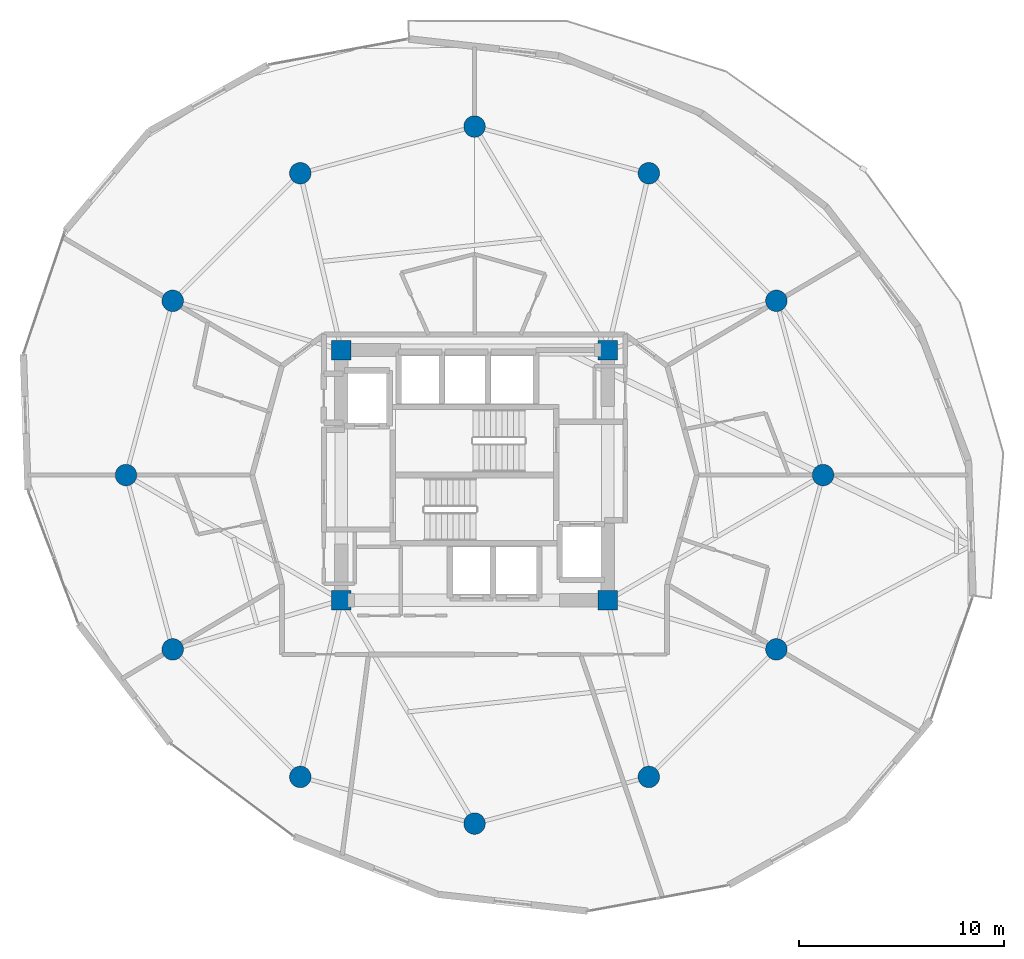
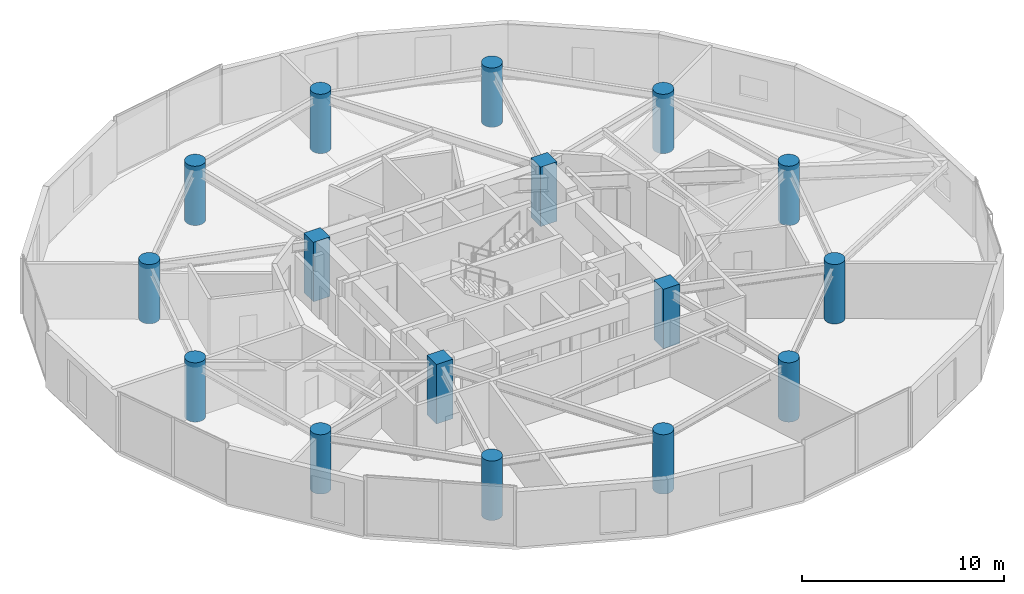
# One storey, part 1 of 23: 16 columns.
"""IFC4 building model written with IfcOpenShell, lengths in metres."""

from ifc_helpers import new_model, si_unit, direction, frame, origin, origin_2d, place, context, subcontext, project, spatial, rectangle, circle, extrude, material, material_profile, profile_set, type_object, element, save


model = new_model("IFC4")

# Units and contexts
model_context = context("Model", 3, precision=1e-05, world=origin(), true_north=direction((0.0, 1.0)))
body_context = subcontext(model_context, "Body", "Model", "MODEL_VIEW")
ifc_project = project(units=[si_unit("LENGTHUNIT", "METRE"), si_unit("AREAUNIT", "SQUARE_METRE"), si_unit("VOLUMEUNIT", "CUBIC_METRE"), si_unit("PLANEANGLEUNIT", "RADIAN"), si_unit("MASSUNIT", "GRAM", prefix="KILO")], contexts=[model_context])

# Site, building, storey
site_placement = place(None, origin())
site = spatial("IfcSite", under=ifc_project, at=site_placement, CompositionType="ELEMENT")
building_placement = place(site_placement, origin())
building = spatial("IfcBuilding", under=site, at=building_placement, Name="Solvirekh Grand Hotel", CompositionType="ELEMENT")
storey_placement = place(building_placement, frame((0.0, 0.0, 109.800048828125)))
storey = spatial("IfcBuildingStorey", under=building, at=storey_placement, Name="L27", CompositionType="ELEMENT", Elevation=109.800048828125)

# Columns
ifc_material = material(Name="Concrete C50/60", Category="concrete")
ifc_material_profile_1 = material_profile(ifc_material, rectangle(XDim=0.949951171875, YDim=0.949951171875, at=origin_2d()), Name="RC 950X950")
ifc_profile_set_1 = profile_set([ifc_material_profile_1], Name="Concrete C50/60")
column_type_1 = type_object("IfcColumnType", Name="Col_Core_950", PredefinedType="COLUMN", material=ifc_profile_set_1)
for number, where, z_axis, x_axis, name in (
    (1, (-6.5, -6.10009765625, 0.0), (0.0, 0.0, 1.0), (1.0, 0.0, 0.0), "L27 core corner column CC1"),
    (2, (6.5, -6.10009765625, 0.0), (0.0, 0.0, 1.0), (1.0, 0.0, 0.0), "L27 core corner column CC2"),
    (3, (6.5, 6.10009765625, 0.0), (0.0, 0.0, 1.0), (1.0, 0.0, 0.0), "L27 core corner column CC3"),
    (4, (-6.5, 6.10009765625, 0.0), (0.0, 0.0, 1.0), (1.0, 0.0, 0.0), "L27 core corner column CC4"),
):
    element("IfcColumn", number, at=place(storey_placement, frame(where, z_axis=z_axis, x_axis=x_axis)), inside=storey, type_object=column_type_1, Name=name, PredefinedType="COLUMN", context=body_context, shape_type="SweptSolid", body=[
        extrude(rectangle(XDim=0.949951171875, YDim=0.949951171875, at=origin_2d()), origin(), (0.0, 0.0, 1.0), 3.599853515625),
    ])
ifc_material_profile_2 = material_profile(ifc_material, circle(Radius=0.52490234375, at=origin_2d()), Name="RC CIRC D1050")
ifc_profile_set_2 = profile_set([ifc_material_profile_2], Name="Concrete C50/60")
column_type_2 = type_object("IfcColumnType", Name="Col_Z2_D1050", PredefinedType="COLUMN", material=ifc_profile_set_2)
for number, where, z_axis, x_axis, name in (
    (5, (17.0, 0.0, 0.0), (0.0, 0.0, 1.0), (1.0, 0.0, 0.0), "L27 perimeter column P01"),
    (6, (14.721923828125, 8.5, 0.0), (0.0, 0.0, 1.0), (1.0, 0.0, 0.0), "L27 perimeter column P02"),
    (7, (8.5, 14.721923828125, 0.0), (0.0, 0.0, 1.0), (1.0, 0.0, 0.0), "L27 perimeter column P03"),
    (8, (0.0, 17.0, 0.0), (0.0, 0.0, 1.0), (1.0, 0.0, 0.0), "L27 perimeter column P04"),
    (9, (-8.5, 14.721923828125, 0.0), (0.0, 0.0, 1.0), (1.0, 0.0, 0.0), "L27 perimeter column P05"),
    (10, (-14.721923828125, 8.5, 0.0), (0.0, 0.0, 1.0), (1.0, 0.0, 0.0), "L27 perimeter column P06"),
    (11, (-17.0, 0.0, 0.0), (0.0, 0.0, 1.0), (1.0, 0.0, 0.0), "L27 perimeter column P07"),
    (12, (-14.721923828125, -8.5, 0.0), (0.0, 0.0, 1.0), (1.0, 0.0, 0.0), "L27 perimeter column P08"),
    (13, (-8.5, -14.721923828125, 0.0), (0.0, 0.0, 1.0), (1.0, 0.0, 0.0), "L27 perimeter column P09"),
    (14, (0.0, -17.0, 0.0), (0.0, 0.0, 1.0), (1.0, 0.0, 0.0), "L27 perimeter column P10"),
    (15, (8.5, -14.721923828125, 0.0), (0.0, 0.0, 1.0), (1.0, 0.0, 0.0), "L27 perimeter column P11"),
    (16, (14.721923828125, -8.5, 0.0), (0.0, 0.0, 1.0), (1.0, 0.0, 0.0), "L27 perimeter column P12"),
):
    element("IfcColumn", number, at=place(storey_placement, frame(where, z_axis=z_axis, x_axis=x_axis)), inside=storey, type_object=column_type_2, Name=name, PredefinedType="COLUMN", context=body_context, shape_type="SweptSolid", body=[
        extrude(circle(Radius=0.52490234375, at=origin_2d()), origin(), (0.0, 0.0, 1.0), 3.599853515625),
    ])

save(model, "model.ifc")
